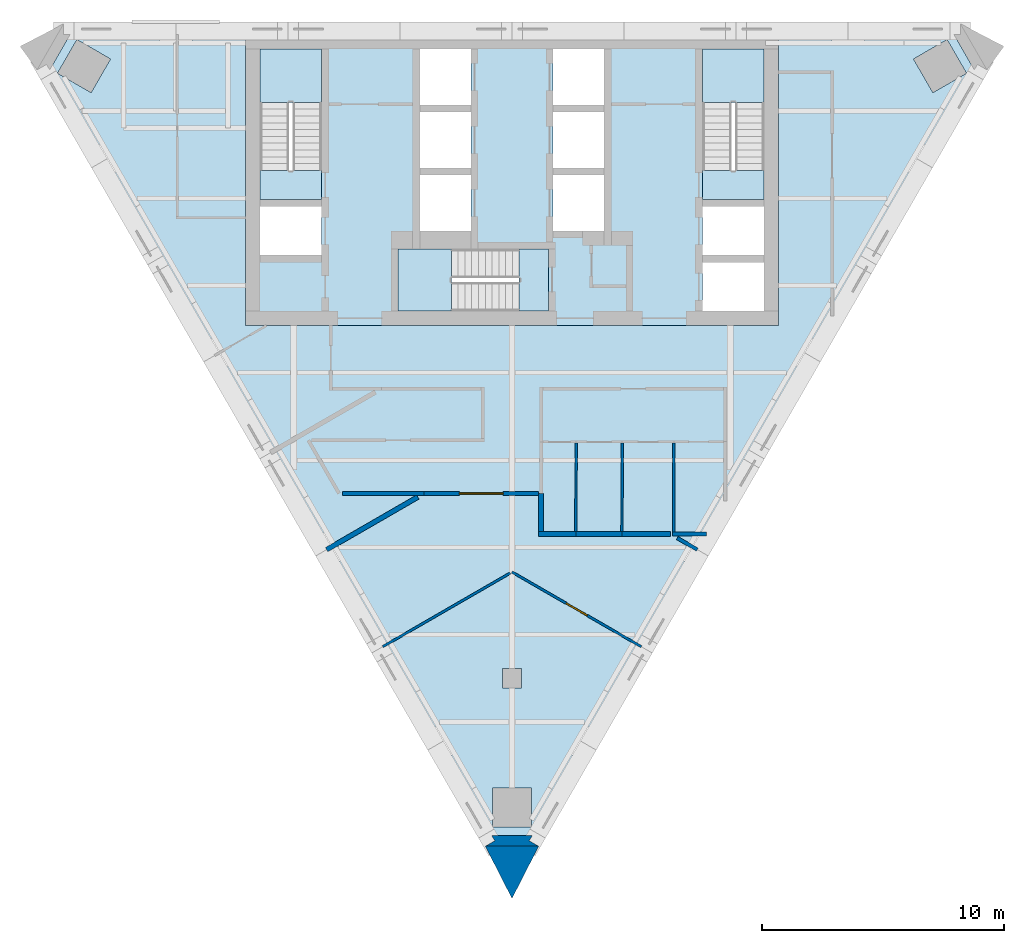
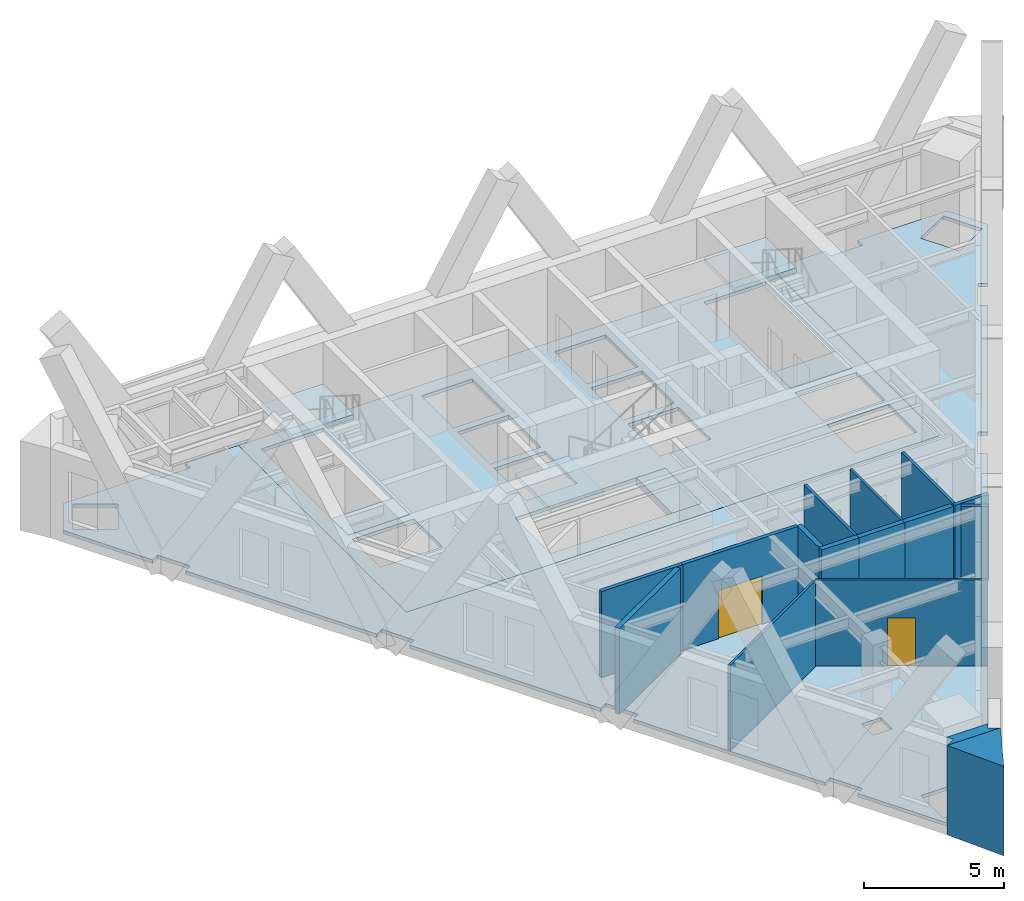
# One storey, part 2 of 7: 16 walls, 8 slabs, 2 doors, 2 openings, 3 elements without a shape of their own.
"""IFC4 building model written with IfcOpenShell, lengths in metres."""

from ifc_helpers import new_model, si_unit, direction, frame, frame_2d, origin, place, context, subcontext, project, spatial, polyline, rectangle, outline, extrude, material, layer, layer_set, type_object, element, fill, aggregate, save


model = new_model("IFC4")

# Units and contexts
model_context = context("Model", 3, precision=1e-05, world=origin(), true_north=direction((0.0, 1.0)))
body_context = subcontext(model_context, "Body", "Model", "MODEL_VIEW")
ifc_project = project(units=[si_unit("LENGTHUNIT", "METRE"), si_unit("AREAUNIT", "SQUARE_METRE"), si_unit("VOLUMEUNIT", "CUBIC_METRE"), si_unit("PLANEANGLEUNIT", "RADIAN"), si_unit("MASSUNIT", "GRAM", prefix="KILO")], contexts=[model_context])

# Site, building, storey
site_placement = place(None, origin())
site = spatial("IfcSite", under=ifc_project, at=site_placement, CompositionType="ELEMENT")
building_placement = place(site_placement, origin())
building = spatial("IfcBuilding", under=site, at=building_placement, Name="Aloe Facet Convention Tower", CompositionType="ELEMENT")
storey_placement = place(building_placement, frame((0.0, 0.0, 246.5)))
storey = spatial("IfcBuildingStorey", under=building, at=storey_placement, Name="L60", CompositionType="ELEMENT", Elevation=246.5)

# Slabs
ifc_material_1 = material(Name="Concrete C50/60", Category="concrete")
ifc_layer_1 = layer(ifc_material_1, 0.14990234375)
ifc_layer_set_1 = layer_set([ifc_layer_1], Name="CR-S-FLOOR150-C5060")
slab_type_1 = type_object("IfcSlabType", Name="CR-S-FLOOR150-C5060", PredefinedType="FLOOR", material=ifc_layer_set_1)
slab_1_placement = place(storey_placement, frame((0.0, 0.0, -0.14990234375)))
element("IfcSlab", 1, at=slab_1_placement, inside=storey, type_object=slab_type_1, Name="Core floor L60", PredefinedType="FLOOR", context=body_context, shape_type="SweptSolid", body=[
    extrude(outline(polyline([(71.85009765625, 134.550048828125), (72.75, 134.550048828125), (75.60009765625, 134.550048828125), (76.5, 134.550048828125), (78.0, 134.550048828125), (78.89990234375, 134.550048828125), (81.10009765625, 134.550048828125), (82.0, 134.550048828125), (83.5, 134.550048828125), (84.39990234375, 134.550048828125), (87.25, 134.550048828125), (88.14990234375, 134.550048828125), (91.0, 134.550048828125), (91.0, 128.050048828125), (91.0, 127.14990234375), (91.0, 125.75), (91.0, 124.85009765625), (91.0, 122.550048828125), (88.14990234375, 122.550048828125), (87.25, 122.550048828125), (85.300048828125, 122.550048828125), (84.39990234375, 122.550048828125), (82.10009765625, 122.550048828125), (81.199951171875, 122.550048828125), (75.60009765625, 122.550048828125), (74.699951171875, 122.550048828125), (72.75, 122.550048828125), (71.85009765625, 122.550048828125), (69.0, 122.550048828125), (69.0, 124.85009765625), (69.0, 125.75), (69.0, 127.14990234375), (69.0, 128.050048828125), (69.0, 134.550048828125), (71.85009765625, 134.550048828125)]), holes=[polyline([(80.298828125, 123.14990234375), (81.5, 123.14990234375), (81.5, 125.699951171875), (80.298828125, 125.699951171875), (75.300048828125, 125.699951171875), (75.300048828125, 123.14990234375), (80.298828125, 123.14990234375)]), polyline([(69.60009765625, 125.449951171875), (72.14990234375, 125.449951171875), (72.14990234375, 127.449951171875), (69.60009765625, 127.449951171875), (69.60009765625, 125.449951171875)]), polyline([(76.199951171875, 126.449951171875), (78.300048828125, 126.449951171875), (78.300048828125, 128.75), (76.199951171875, 128.75), (76.199951171875, 126.449951171875)]), polyline([(78.300048828125, 129.050048828125), (78.300048828125, 131.35009765625), (76.199951171875, 131.35009765625), (76.199951171875, 129.050048828125), (78.300048828125, 129.050048828125)]), polyline([(69.60009765625, 133.949951171875), (69.60009765625, 128.951171875), (69.60009765625, 127.75), (72.14990234375, 127.75), (72.14990234375, 128.951171875), (72.14990234375, 133.949951171875), (69.60009765625, 133.949951171875)]), polyline([(76.199951171875, 131.64990234375), (78.300048828125, 131.64990234375), (78.300048828125, 133.949951171875), (76.199951171875, 133.949951171875), (76.199951171875, 131.64990234375)]), polyline([(90.39990234375, 123.14990234375), (90.39990234375, 125.14990234375), (87.85009765625, 125.14990234375), (87.85009765625, 123.14990234375), (90.39990234375, 123.14990234375)]), polyline([(87.85009765625, 125.449951171875), (90.39990234375, 125.449951171875), (90.39990234375, 127.449951171875), (87.85009765625, 127.449951171875), (87.85009765625, 125.449951171875)]), polyline([(81.699951171875, 126.449951171875), (83.800048828125, 126.449951171875), (83.800048828125, 128.75), (81.699951171875, 128.75), (81.699951171875, 126.449951171875)]), polyline([(83.800048828125, 129.050048828125), (83.800048828125, 131.35009765625), (81.699951171875, 131.35009765625), (81.699951171875, 129.050048828125), (83.800048828125, 129.050048828125)]), polyline([(87.85009765625, 133.949951171875), (87.85009765625, 128.951171875), (87.85009765625, 127.75), (90.39990234375, 127.75), (90.39990234375, 128.951171875), (90.39990234375, 133.949951171875), (87.85009765625, 133.949951171875)]), polyline([(81.699951171875, 131.64990234375), (83.800048828125, 131.64990234375), (83.800048828125, 133.949951171875), (81.699951171875, 133.949951171875), (81.699951171875, 131.64990234375)])]), origin(), (0.0, 0.0, 1.0), 0.14990234375),
])
ifc_material_2 = material(Name="Concrete C50/60", Category="concrete")
ifc_layer_2 = layer(ifc_material_2, 0.300048828125)
ifc_layer_set_2 = layer_set([ifc_layer_2], Name="CR-S-FLOOR300-C5060")
slab_type_2 = type_object("IfcSlabType", Name="CR-S-FLOOR300-C5060", PredefinedType="FLOOR", material=ifc_layer_set_2)
slab_2_placement = place(storey_placement, frame((0.0, 0.0, -0.300048828125)))
element("IfcSlab", 2, at=slab_2_placement, inside=storey, type_object=slab_type_2, Name="Stair landing floor L60", PredefinedType="FLOOR", context=body_context, shape_type="SweptSolid", body=[
    extrude(outline(polyline([(72.14990234375, 127.75), (72.14990234375, 128.951171875), (69.60009765625, 128.951171875), (69.60009765625, 127.75), (72.14990234375, 127.75)])), origin(), (0.0, 0.0, 1.0), 0.300048828125),
])
slab_3_placement = place(storey_placement, frame((0.0, 0.0, -0.300048828125)))
element("IfcSlab", 3, at=slab_3_placement, inside=storey, type_object=slab_type_2, Name="Stair landing floor L60", PredefinedType="FLOOR", context=body_context, shape_type="SweptSolid", body=[
    extrude(outline(polyline([(90.39990234375, 127.75), (90.39990234375, 128.951171875), (87.85009765625, 128.951171875), (87.85009765625, 127.75), (90.39990234375, 127.75)])), origin(), (0.0, 0.0, 1.0), 0.300048828125),
])
slab_4_placement = place(storey_placement, frame((0.0, 0.0, -0.300048828125)))
element("IfcSlab", 4, at=slab_4_placement, inside=storey, type_object=slab_type_2, Name="Stair landing floor L60", PredefinedType="FLOOR", context=body_context, shape_type="SweptSolid", body=[
    extrude(outline(polyline([(81.5, 125.699951171875), (80.298828125, 125.699951171875), (80.298828125, 123.14990234375), (81.5, 123.14990234375), (81.5, 125.699951171875)])), origin(), (0.0, 0.0, 1.0), 0.300048828125),
])

# Stair, slab
ifc_material_3 = material(Name="Concrete C50/60", Category="concrete")
stair_type = type_object("IfcStairType", Name="CR-ST-22R", PredefinedType="HALF_TURN_STAIR", material=ifc_material_3)
stair_1_placement = place(storey_placement, origin())
stair_1 = element("IfcStair", 5, at=stair_1_placement, inside=storey, type_object=stair_type, Name="L60 Protected exit stair ST1", PredefinedType="HALF_TURN_STAIR")
ifc_material_4 = material(Name="Concrete C50/60", Category="concrete")
ifc_layer_3 = layer(ifc_material_4, 0.199951171875)
ifc_layer_set_3 = layer_set([ifc_layer_3], Name="CR-SL-LANDING")
slab_type_3 = type_object("IfcSlabType", Name="CR-SL-LANDING", PredefinedType="LANDING", material=ifc_layer_set_3)
slab_5_placement = place(storey_placement, frame((0.0, 0.0, 1.75)))
slab_5 = element("IfcSlab", 6, at=slab_5_placement, type_object=slab_type_3, Name="ST1 landing 1", PredefinedType="LANDING", context=body_context, shape_type="SweptSolid", body=[
    extrude(outline(polyline([(72.14990234375, 131.75), (72.14990234375, 133.949951171875), (69.60009765625, 133.949951171875), (69.60009765625, 131.75), (72.14990234375, 131.75)])), origin(), (0.0, 0.0, 1.0), 0.199951171875),
])
aggregate(stair_1, [slab_5])

stair_2_placement = place(storey_placement, origin())
stair_2 = element("IfcStair", 7, at=stair_2_placement, inside=storey, type_object=stair_type, Name="L60 Protected exit stair ST2", PredefinedType="HALF_TURN_STAIR")
slab_6_placement = place(storey_placement, frame((0.0, 0.0, 1.75)))
slab_6 = element("IfcSlab", 8, at=slab_6_placement, type_object=slab_type_3, Name="ST2 landing 1", PredefinedType="LANDING", context=body_context, shape_type="SweptSolid", body=[
    extrude(outline(polyline([(90.39990234375, 131.75), (90.39990234375, 133.949951171875), (87.85009765625, 133.949951171875), (87.85009765625, 131.75), (90.39990234375, 131.75)])), origin(), (0.0, 0.0, 1.0), 0.199951171875),
])
aggregate(stair_2, [slab_6])

stair_3_placement = place(storey_placement, origin())
stair_3 = element("IfcStair", 9, at=stair_3_placement, inside=storey, type_object=stair_type, Name="L60 Protected exit stair ST3", PredefinedType="HALF_TURN_STAIR")
slab_7_placement = place(storey_placement, frame((0.0, 0.0, 1.75)))
slab_7 = element("IfcSlab", 10, at=slab_7_placement, type_object=slab_type_3, Name="ST3 landing 1", PredefinedType="LANDING", context=body_context, shape_type="SweptSolid", body=[
    extrude(outline(polyline([(77.5, 125.699951171875), (75.300048828125, 125.699951171875), (75.300048828125, 123.14990234375), (77.5, 123.14990234375), (77.5, 125.699951171875)])), origin(), (0.0, 0.0, 1.0), 0.199951171875),
])
aggregate(stair_3, [slab_7])

# Slab
ifc_material_5 = material(Name="Concrete C35/45", Category="concrete")
ifc_layer_4 = layer(ifc_material_5, 0.14990234375)
ifc_layer_set_4 = layer_set([ifc_layer_4], Name="SF-FS-150")
slab_type_4 = type_object("IfcSlabType", Name="SF-FS-150", PredefinedType="FLOOR", material=ifc_layer_set_4)
slab_8_placement = place(storey_placement, frame((0.0, 0.0, -0.14990234375)))
element("IfcSlab", 11, at=slab_8_placement, inside=storey, type_object=slab_type_4, Name="Floor slab L60-1", PredefinedType="FLOOR", context=body_context, shape_type="SweptSolid", body=[
    extrude(outline(polyline([(99.06640625, 133.0947265625), (97.220703125, 129.897705078125), (96.91748046875, 130.07275390625), (96.708984375, 129.711669921875), (96.24755859375, 128.912109375), (96.550537109375, 128.737060546875), (92.59912109375, 121.892822265625), (92.296142578125, 122.06787109375), (91.970703125, 121.50439453125), (91.964599609375, 121.494140625), (91.9609375, 121.487548828125), (91.83447265625, 121.268310546875), (91.67041015625, 120.984375), (91.6259765625, 120.907470703125), (91.92919921875, 120.732421875), (87.9775390625, 113.88818359375), (87.674560546875, 114.063232421875), (87.4287109375, 113.63720703125), (87.339599609375, 113.48291015625), (87.048828125, 112.9794921875), (87.00439453125, 112.902587890625), (87.3076171875, 112.7275390625), (83.356201171875, 105.88330078125), (83.052978515625, 106.058349609375), (83.008544921875, 105.9814453125), (82.718017578125, 105.478271484375), (82.655517578125, 105.369873046875), (82.60400390625, 105.281005859375), (82.427490234375, 104.974853515625), (82.3828125, 104.89794921875), (82.68603515625, 104.722900390625), (80.840087890625, 101.52587890625), (79.159912109375, 101.52587890625), (77.31396484375, 104.722900390625), (77.6171875, 104.89794921875), (77.40869140625, 105.2587890625), (77.281982421875, 105.478271484375), (77.155517578125, 105.697509765625), (76.991455078125, 105.9814453125), (76.947021484375, 106.058349609375), (76.643798828125, 105.88330078125), (72.6923828125, 112.7275390625), (72.99560546875, 112.902587890625), (72.951171875, 112.9794921875), (72.660400390625, 113.48291015625), (72.51611328125, 113.73291015625), (72.369873046875, 113.986083984375), (72.325439453125, 114.063232421875), (72.0224609375, 113.88818359375), (68.07080078125, 120.732421875), (68.3740234375, 120.907470703125), (68.32958984375, 120.984375), (68.0390625, 121.487548828125), (68.035400390625, 121.494140625), (68.029296875, 121.50439453125), (67.703857421875, 122.06787109375), (67.40087890625, 121.892822265625), (63.449462890625, 128.737060546875), (63.75244140625, 128.912109375), (63.7080078125, 128.989013671875), (63.41748046875, 129.492431640625), (63.126708984375, 129.99560546875), (63.08251953125, 130.07275390625), (62.779296875, 129.897705078125), (60.93359375, 133.0947265625), (61.773681640625, 134.550048828125), (65.46533203125, 134.550048828125), (65.46533203125, 134.199951171875), (65.55419921875, 134.199951171875), (65.882080078125, 134.199951171875), (66.135498046875, 134.199951171875), (66.388427734375, 134.199951171875), (66.716552734375, 134.199951171875), (66.805419921875, 134.199951171875), (66.805419921875, 134.550048828125), (69.0, 134.550048828125), (69.0, 128.050048828125), (69.0, 127.14990234375), (69.0, 125.75), (69.0, 124.85009765625), (69.0, 122.550048828125), (71.85009765625, 122.550048828125), (72.75, 122.550048828125), (74.699951171875, 122.550048828125), (75.60009765625, 122.550048828125), (81.199951171875, 122.550048828125), (82.10009765625, 122.550048828125), (84.39990234375, 122.550048828125), (85.300048828125, 122.550048828125), (87.25, 122.550048828125), (88.14990234375, 122.550048828125), (91.0, 122.550048828125), (91.0, 124.85009765625), (91.0, 125.75), (91.0, 127.14990234375), (91.0, 128.050048828125), (91.0, 134.550048828125), (93.194580078125, 134.550048828125), (93.194580078125, 134.199951171875), (93.283447265625, 134.199951171875), (93.611572265625, 134.199951171875), (93.864501953125, 134.199951171875), (94.117919921875, 134.199951171875), (94.44580078125, 134.199951171875), (94.53466796875, 134.199951171875), (94.53466796875, 134.550048828125), (98.226318359375, 134.550048828125), (99.06640625, 133.0947265625)]), holes=[polyline([(63.4423828125, 133.540283203125), (62.056640625, 134.340087890625), (61.256591796875, 132.95458984375), (62.642333984375, 132.154541015625), (63.4423828125, 133.540283203125)]), polyline([(79.199951171875, 103.475830078125), (79.199951171875, 101.875732421875), (80.800048828125, 101.875732421875), (80.800048828125, 103.475830078125), (79.199951171875, 103.475830078125)]), polyline([(79.60009765625, 107.60009765625), (80.39990234375, 107.60009765625), (80.39990234375, 108.39990234375), (79.60009765625, 108.39990234375), (79.60009765625, 107.60009765625)]), polyline([(97.357666015625, 132.154541015625), (98.743408203125, 132.95458984375), (97.943359375, 134.340087890625), (96.5576171875, 133.540283203125), (97.357666015625, 132.154541015625)])]), origin(), (0.0, 0.0, 1.0), 0.14990234375),
])

# Walls
ifc_material_6 = material(Name="Precast concrete C40/50", Category="concrete")
ifc_layer_5 = layer(ifc_material_6, 0.449951171875)
ifc_layer_set_5 = layer_set([ifc_layer_5], Name="EV-WALL-PIER")
wall_type_1 = type_object("IfcWallType", Name="EV-WALL-PIER", PredefinedType="SOLIDWALL", material=ifc_layer_set_5)
wall_1_placement = place(storey_placement, frame((0.0, 0.0, -0.14990234375)))
element("IfcWall", 12, at=wall_1_placement, inside=storey, type_object=wall_type_1, Name="EP-L60-B", PredefinedType="SOLIDWALL", context=body_context, shape_type="SweptSolid", body=[
    extrude(outline(polyline([(78.89990234375, 101.07568359375), (79.289794921875, 101.30078125), (79.159912109375, 101.52587890625), (80.840087890625, 101.52587890625), (80.710205078125, 101.30078125), (81.10009765625, 101.07568359375), (78.89990234375, 101.07568359375)])), origin(), (0.0, 0.0, 1.0), 3.89990234375),
])
ifc_material_7 = material(Name="Precast concrete C40/50", Category="concrete")
ifc_layer_6 = layer(ifc_material_7, 3.947998046875)
ifc_layer_set_6 = layer_set([ifc_layer_6], Name="EV-WALL-SPINE")
wall_type_2 = type_object("IfcWallType", Name="EV-WALL-SPINE", PredefinedType="SOLIDWALL", material=ifc_layer_set_6)
wall_2_placement = place(storey_placement, frame((0.0, 0.0, -0.14990234375)))
element("IfcWall", 13, at=wall_2_placement, inside=storey, type_object=wall_type_2, Name="SP-S-L60", PredefinedType="SOLIDWALL", context=body_context, shape_type="SweptSolid", body=[
    extrude(outline(polyline([(78.89990234375, 101.07568359375), (80.0, 98.91796875), (81.10009765625, 101.07568359375), (78.89990234375, 101.07568359375)])), origin(), (0.0, 0.0, 1.0), 3.89990234375),
])
ifc_material_8 = material(Name="Gypsum board partition on steel studs", Category="steel")
ifc_layer_7 = layer(ifc_material_8, 0.14990234375)
ifc_layer_set_7 = layer_set([ifc_layer_7], Name="IN-W-CORR")
wall_type_3 = type_object("IfcWallType", Name="IN-W-CORR", PredefinedType="PARTITIONING", material=ifc_layer_set_7)
wall_3_placement = place(storey_placement, frame((86.816162109375, 113.78515625, 0.0), z_axis=(0.0, 0.0, 1.0), x_axis=(0.865951249342, -0.500128417272, 0.0)))
element("IfcWall", 14, at=wall_3_placement, inside=storey, type_object=wall_type_3, Name="Partition L60-W007", PredefinedType="PARTITIONING", context=body_context, shape_type="SweptSolid", body=[
    extrude(rectangle(XDim=0.954345703125, YDim=0.14990234375, at=frame_2d((0.47705078125, 0.0))), origin(), (0.0, 0.0, 1.0), 3.75),
])
wall_4_placement = place(storey_placement, frame((86.612060546875, 113.949951171875, 0.0), z_axis=(0.0, 0.0, 1.0), x_axis=(1.0, 0.0, 0.0)))
element("IfcWall", 15, at=wall_4_placement, inside=storey, type_object=wall_type_3, Name="Partition L60-W009", PredefinedType="PARTITIONING", context=body_context, shape_type="SweptSolid", body=[
    extrude(rectangle(XDim=1.400146484375, YDim=0.14990234375, at=frame_2d((0.7001953125, 0.0))), origin(), (0.0, 0.0, 1.0), 3.75),
])

# Wall, opening, door
wall_5_placement = place(storey_placement, frame((76.36279296875, 115.620361328125, 0.0), z_axis=(0.0, 0.0, 1.0), x_axis=(1.0, 0.0, 0.0)))
wall_5 = element("IfcWall", 16, at=wall_5_placement, inside=storey, type_object=wall_type_3, Name="Partition L60-W012", PredefinedType="PARTITIONING", context=body_context, shape_type="SweptSolid", body=[
    extrude(rectangle(XDim=4.7373046875, YDim=0.14990234375, at=frame_2d((2.36865234375, 0.0))), origin(), (0.0, 0.0, 1.0), 3.75),
])
opening_1_placement = place(wall_5_placement, frame((1.46875, 0.0, 0.0)))
opening_1 = element("IfcOpeningElement", 17, at=opening_1_placement, cuts=wall_5, Name="Opening L60-012", PredefinedType="OPENING", context=body_context, shape_type="SweptSolid", body=[
    extrude(rectangle(XDim=1.800048828125, YDim=2.10009765625, at=frame_2d((0.89990234375, 1.050048828125))), frame((0.0, 0.0849609375, 0.0), z_axis=(0.0, -1.0, 0.0), x_axis=(1.0, 0.0, 0.0)), (0.0, 0.0, 1.0), 0.169921875),
])
ifc_material_9 = material(Name="Glazed timber door pair FD30S", Category="wood")
door_type_1 = type_object("IfcDoorType", Name="IN-OFF-D-SUITE", OperationType="DOUBLE_DOOR_SINGLE_SWING", PredefinedType="DOOR", material=ifc_material_9)
door_1_placement = place(opening_1_placement, origin())
door_1 = element("IfcDoor", 18, at=door_1_placement, inside=storey, type_object=door_type_1, Name="Door L60-012", OperationType="SINGLE_SWING_LEFT", OverallHeight=2.10009765625, OverallWidth=1.800048828125, PredefinedType="DOOR", context=body_context, shape_type="SweptSolid", body=[
    extrude(rectangle(XDim=1.800048828125, YDim=2.10009765625, at=frame_2d((0.89990234375, 1.050048828125))), frame((0.0, 0.02490234375, 0.0), z_axis=(0.0, -1.0, 0.0), x_axis=(1.0, 0.0, 0.0)), (0.0, 0.0, 1.0), 0.050048828125),
])
fill(opening_1, door_1)

# Wall
wall_6_placement = place(storey_placement, frame((72.999755859375, 115.620361328125, 0.0), z_axis=(0.0, 0.0, 1.0), x_axis=(1.0, 0.0, 0.0)))
element("IfcWall", 19, at=wall_6_placement, inside=storey, type_object=wall_type_3, Name="Partition L60-W013", PredefinedType="PARTITIONING", context=body_context, shape_type="SweptSolid", body=[
    extrude(rectangle(XDim=3.363037109375, YDim=0.14990234375, at=frame_2d((1.681640625, 0.0))), origin(), (0.0, 0.0, 1.0), 3.75),
])

# Wall, opening, door
ifc_material_10 = material(Name="Gypsum board partition on steel studs", Category="steel")
ifc_layer_8 = layer(ifc_material_10, 0.10009765625)
ifc_layer_set_8 = layer_set([ifc_layer_8], Name="IN-W-PART")
wall_type_4 = type_object("IfcWallType", Name="IN-W-PART", PredefinedType="PARTITIONING", material=ifc_layer_set_8)
wall_7_placement = place(storey_placement, frame((80.0, 112.3837890625, 0.0), z_axis=(0.0, 0.0, 1.0), x_axis=(0.866021154418, -0.500007360046, 0.0)))
wall_7 = element("IfcWall", 20, at=wall_7_placement, inside=storey, type_object=wall_type_4, Name="Partition L60-W001", PredefinedType="PARTITIONING", context=body_context, shape_type="SweptSolid", body=[
    extrude(rectangle(XDim=6.15673828125, YDim=0.10009765625, at=frame_2d((3.078369140625, 0.0))), origin(), (0.0, 0.0, 1.0), 3.75),
])
opening_2_placement = place(wall_7_placement, frame((2.578369140625, 0.0, 0.0)))
opening_2 = element("IfcOpeningElement", 21, at=opening_2_placement, cuts=wall_7, Name="Opening L60-011", PredefinedType="OPENING", context=body_context, shape_type="SweptSolid", body=[
    extrude(rectangle(XDim=1.0, YDim=2.10009765625, at=frame_2d((0.5, 1.050048828125))), frame((0.0, 0.06005859375, 0.0), z_axis=(0.0, -1.0, 0.0), x_axis=(1.0, 0.0, 0.0)), (0.0, 0.0, 1.0), 0.1201171875),
])
ifc_material_11 = material(Name="Timber door", Category="wood")
door_type_2 = type_object("IfcDoorType", Name="IN-OFF-D-WIDE", OperationType="SINGLE_SWING_LEFT", PredefinedType="DOOR", material=ifc_material_11)
door_2_placement = place(opening_2_placement, origin())
door_2 = element("IfcDoor", 22, at=door_2_placement, inside=storey, type_object=door_type_2, Name="Door L60-011", OperationType="SINGLE_SWING_LEFT", OverallHeight=2.10009765625, OverallWidth=1.0, PredefinedType="DOOR", context=body_context, shape_type="SweptSolid", body=[
    extrude(rectangle(XDim=1.0, YDim=2.10009765625, at=frame_2d((0.5, 1.050048828125))), frame((0.0, 0.02490234375, 0.0), z_axis=(0.0, -1.0, 0.0), x_axis=(1.0, 0.0, 0.0)), (0.0, 0.0, 1.0), 0.050048828125),
])
fill(opening_2, door_2)

# Walls
wall_8_placement = place(storey_placement, frame((74.668212890625, 109.305419921875, 0.0), z_axis=(0.0, 0.0, 1.0), x_axis=(0.866016800201, 0.500014901547, 0.0)))
element("IfcWall", 23, at=wall_8_placement, inside=storey, type_object=wall_type_4, Name="Partition L60-W002", PredefinedType="PARTITIONING", context=body_context, shape_type="SweptSolid", body=[
    extrude(rectangle(XDim=6.070068359375, YDim=0.10009765625, at=frame_2d((3.03515625, 0.0))), origin(), (0.0, 0.0, 1.0), 3.75),
])
for number, where, z_axis, x_axis, name in (
    (24, (82.63427734375, 114.050048828125, 0.0), (0.0, 0.0, 1.0), (0.002608686776, 0.999996597371, 0.0), "Partition L60-W017"),
    (25, (84.5341796875, 114.050048828125, 0.0), (0.0, 0.0, 1.0), (0.002675575707, 0.999996420641, 0.0), "Partition L60-W019"),
):
    element("IfcWall", number, at=place(storey_placement, frame(where, z_axis=z_axis, x_axis=x_axis)), inside=storey, type_object=wall_type_4, Name=name, PredefinedType="PARTITIONING", context=body_context, shape_type="SweptSolid", body=[
        extrude(rectangle(XDim=3.64990234375, YDim=0.10009765625, at=frame_2d((1.824951171875, 0.0))), origin(), (0.0, 0.0, 1.0), 3.75),
    ])
wall_9_placement = place(storey_placement, frame((86.662109375, 114.02490234375, 0.0), z_axis=(0.0, 0.0, 1.0), x_axis=(0.002657268237, 0.999996469457, 0.0)))
element("IfcWall", 26, at=wall_9_placement, inside=storey, type_object=wall_type_4, Name="Partition L60-W021", PredefinedType="PARTITIONING", context=body_context, shape_type="SweptSolid", body=[
    extrude(rectangle(XDim=3.675048828125, YDim=0.10009765625, at=frame_2d((1.83740234375, 0.0))), origin(), (0.0, 0.0, 1.0), 3.75),
])
ifc_material_12 = material(Name="Gypsum board partition on steel studs", Category="steel")
ifc_layer_9 = layer(ifc_material_12, 0.199951171875)
ifc_layer_set_9 = layer_set([ifc_layer_9], Name="IN-W-PARTY")
wall_type_5 = type_object("IfcWallType", Name="IN-W-PARTY", PredefinedType="PARTITIONING", material=ifc_layer_set_9)
wall_10_placement = place(storey_placement, frame((72.357421875, 113.307861328125, 0.0), z_axis=(0.0, 0.0, 1.0), x_axis=(0.866032891431, 0.499987030792, 0.0)))
element("IfcWall", 27, at=wall_10_placement, inside=storey, type_object=wall_type_5, Name="Partition L60-W003", PredefinedType="PARTITIONING", context=body_context, shape_type="SweptSolid", body=[
    extrude(rectangle(XDim=4.33984375, YDim=0.199951171875, at=frame_2d((2.169921875, 0.0))), origin(), (0.0, 0.0, 1.0), 3.75),
])
wall_11_placement = place(storey_placement, frame((81.10009765625, 113.949951171875, 0.0), z_axis=(0.0, 0.0, 1.0), x_axis=(1.0, 0.0, 0.0)))
element("IfcWall", 28, at=wall_11_placement, inside=storey, type_object=wall_type_5, Name="Partition L60-W004", PredefinedType="PARTITIONING", context=body_context, shape_type="SweptSolid", body=[
    extrude(rectangle(XDim=1.533935546875, YDim=0.199951171875, at=frame_2d((0.76708984375, 0.0))), origin(), (0.0, 0.0, 1.0), 3.75),
])
wall_12_placement = place(storey_placement, frame((82.634033203125, 113.949951171875, 0.0), z_axis=(0.0, 0.0, 1.0), x_axis=(1.0, 0.0, 0.0)))
element("IfcWall", 29, at=wall_12_placement, inside=storey, type_object=wall_type_5, Name="Partition L60-W005", PredefinedType="PARTITIONING", context=body_context, shape_type="SweptSolid", body=[
    extrude(rectangle(XDim=1.89990234375, YDim=0.199951171875, at=frame_2d((0.949951171875, 0.0))), origin(), (0.0, 0.0, 1.0), 3.75),
])
wall_13_placement = place(storey_placement, frame((84.533935546875, 113.949951171875, 0.0), z_axis=(0.0, 0.0, 1.0), x_axis=(1.0, 0.0, 0.0)))
element("IfcWall", 30, at=wall_13_placement, inside=storey, type_object=wall_type_5, Name="Partition L60-W006", PredefinedType="PARTITIONING", context=body_context, shape_type="SweptSolid", body=[
    extrude(rectangle(XDim=1.99658203125, YDim=0.199951171875, at=frame_2d((0.998291015625, 0.0))), origin(), (0.0, 0.0, 1.0), 3.75),
])
wall_14_placement = place(storey_placement, frame((81.199951171875, 114.050048828125, 0.0), z_axis=(0.0, 0.0, 1.0), x_axis=(0.0, 1.0, 0.0)))
element("IfcWall", 31, at=wall_14_placement, inside=storey, type_object=wall_type_5, Name="Partition L60-W014", PredefinedType="PARTITIONING", context=body_context, shape_type="SweptSolid", body=[
    extrude(rectangle(XDim=1.5703125, YDim=0.199951171875, at=frame_2d((0.78515625, 0.0))), origin(), (0.0, 0.0, 1.0), 3.75),
])

save(model, "model.ifc")
